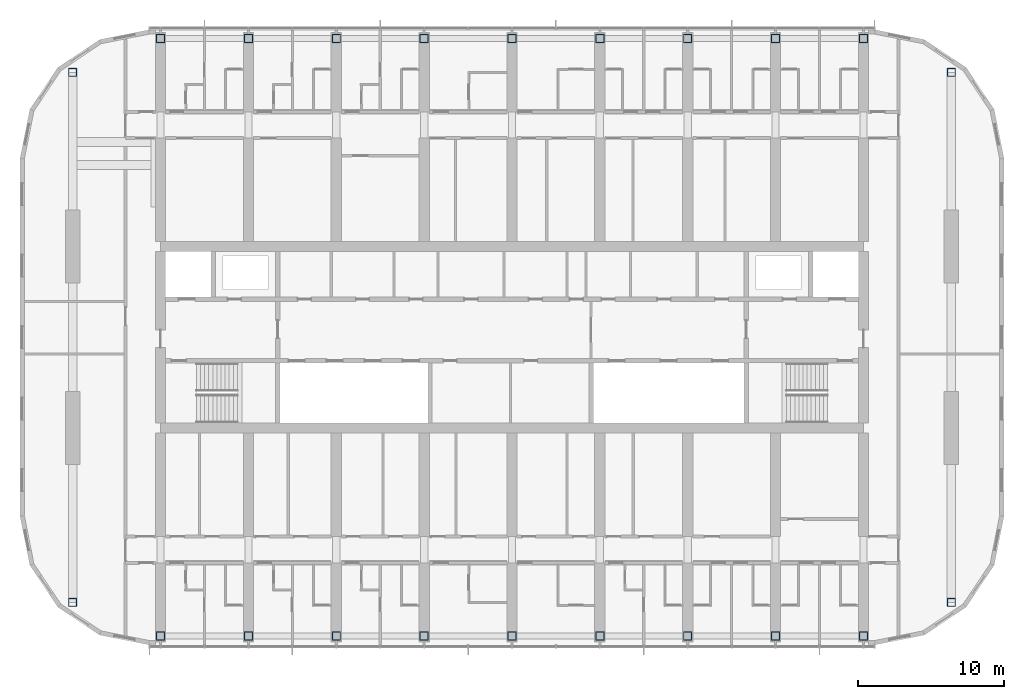
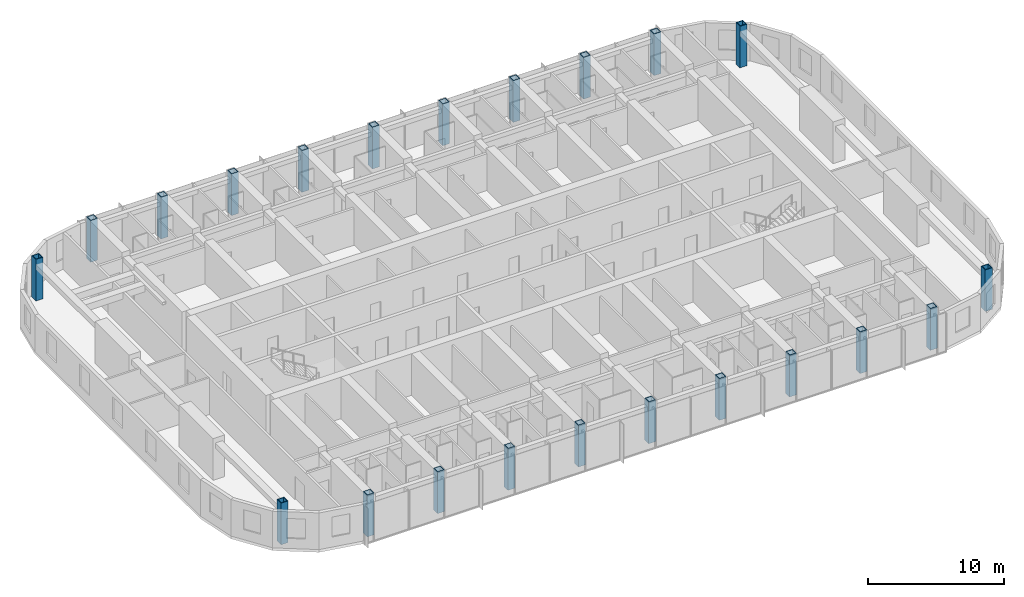
# One storey, part 1 of 24: 22 columns.
"""IFC4 building model written with IfcOpenShell, lengths in metres."""

from ifc_helpers import new_model, si_unit, direction, frame, origin, origin_2d, place, context, subcontext, project, spatial, hollow_rectangle, extrude, material, material_profile, profile_set, type_object, element, save


model = new_model("IFC4")

# Units and contexts
model_context = context("Model", 3, precision=1e-05, world=origin(), true_north=direction((0.0, 1.0)))
body_context = subcontext(model_context, "Body", "Model", "MODEL_VIEW")
ifc_project = project(units=[si_unit("LENGTHUNIT", "METRE"), si_unit("AREAUNIT", "SQUARE_METRE"), si_unit("VOLUMEUNIT", "CUBIC_METRE"), si_unit("PLANEANGLEUNIT", "RADIAN"), si_unit("MASSUNIT", "GRAM", prefix="KILO")], contexts=[model_context])

# Site, building, storey
site_placement = place(None, origin())
site = spatial("IfcSite", under=ifc_project, at=site_placement, CompositionType="ELEMENT")
building_placement = place(site_placement, origin())
building = spatial("IfcBuilding", under=site, at=building_placement, Name="Orbita Commons", CompositionType="ELEMENT")
storey_placement = place(building_placement, frame((0.0, 0.0, 242.800048828125)))
storey = spatial("IfcBuildingStorey", under=building, at=storey_placement, Name="L60", CompositionType="ELEMENT", Elevation=242.800048828125)

# Columns
ifc_material = material(Name="Steel ASTM A572 Gr 50 welded plate", Category="steel")
ifc_material_profile = material_profile(ifc_material, hollow_rectangle(XDim=0.60009765625, YDim=0.60009765625, WallThickness=0.06005859375, at=origin_2d()), Name="BOX 600x600x60")
ifc_profile_set = profile_set([ifc_material_profile], Name="Steel ASTM A572 Gr 50 welded plate")
column_type = type_object("IfcColumnType", Name="Steel column BOX 600x600x60", PredefinedType="COLUMN", material=ifc_profile_set)
for number, where, z_axis, x_axis, name in (
    (1, (18.0, 11.60009765625, 0.0), (0.0, 0.0, 1.0), (1.0, 0.0, 0.0), "Column 4/B L60"),
    (2, (18.0, 52.39990234375, 0.0), (0.0, 0.0, 1.0), (1.0, 0.0, 0.0), "Column 4/E L60"),
    (3, (24.0, 11.60009765625, 0.0), (0.0, 0.0, 1.0), (1.0, 0.0, 0.0), "Column 5/B L60"),
    (4, (24.0, 52.39990234375, 0.0), (0.0, 0.0, 1.0), (1.0, 0.0, 0.0), "Column 5/E L60"),
    (5, (30.0, 11.60009765625, 0.0), (0.0, 0.0, 1.0), (1.0, 0.0, 0.0), "Column 6/B L60"),
    (6, (30.0, 52.39990234375, 0.0), (0.0, 0.0, 1.0), (1.0, 0.0, 0.0), "Column 6/E L60"),
    (7, (36.0, 11.60009765625, 0.0), (0.0, 0.0, 1.0), (1.0, 0.0, 0.0), "Column 7/B L60"),
    (8, (36.0, 52.39990234375, 0.0), (0.0, 0.0, 1.0), (1.0, 0.0, 0.0), "Column 7/E L60"),
    (9, (42.0, 11.60009765625, 0.0), (0.0, 0.0, 1.0), (1.0, 0.0, 0.0), "Column 8/B L60"),
    (10, (42.0, 52.39990234375, 0.0), (0.0, 0.0, 1.0), (1.0, 0.0, 0.0), "Column 8/E L60"),
    (11, (48.0, 11.60009765625, 0.0), (0.0, 0.0, 1.0), (1.0, 0.0, 0.0), "Column 9/B L60"),
    (12, (48.0, 52.39990234375, 0.0), (0.0, 0.0, 1.0), (1.0, 0.0, 0.0), "Column 9/E L60"),
    (13, (54.0, 11.60009765625, 0.0), (0.0, 0.0, 1.0), (1.0, 0.0, 0.0), "Column 10/B L60"),
    (14, (54.0, 52.39990234375, 0.0), (0.0, 0.0, 1.0), (1.0, 0.0, 0.0), "Column 10/E L60"),
    (15, (60.0, 11.60009765625, 0.0), (0.0, 0.0, 1.0), (1.0, 0.0, 0.0), "Column 11/B L60"),
    (16, (60.0, 52.39990234375, 0.0), (0.0, 0.0, 1.0), (1.0, 0.0, 0.0), "Column 11/E L60"),
    (17, (66.0, 11.60009765625, 0.0), (0.0, 0.0, 1.0), (1.0, 0.0, 0.0), "Column 12/B L60"),
    (18, (66.0, 52.39990234375, 0.0), (0.0, 0.0, 1.0), (1.0, 0.0, 0.0), "Column 12/E L60"),
    (19, (12.0, 13.89990234375, 0.0), (0.0, 0.0, 1.0), (1.0, 0.0, 0.0), "Column 3/13.9 L60"),
    (20, (12.0, 50.10009765625, 0.0), (0.0, 0.0, 1.0), (1.0, 0.0, 0.0), "Column 3/50.1 L60"),
    (21, (72.0, 13.89990234375, 0.0), (0.0, 0.0, 1.0), (1.0, 0.0, 0.0), "Column 13/13.9 L60"),
    (22, (72.0, 50.10009765625, 0.0), (0.0, 0.0, 1.0), (1.0, 0.0, 0.0), "Column 13/50.1 L60"),
):
    element("IfcColumn", number, at=place(storey_placement, frame(where, z_axis=z_axis, x_axis=x_axis)), inside=storey, type_object=column_type, Name=name, PredefinedType="COLUMN", context=body_context, shape_type="SweptSolid", body=[
        extrude(hollow_rectangle(XDim=0.60009765625, YDim=0.60009765625, WallThickness=0.06005859375, at=origin_2d()), origin(), (0.0, 0.0, 1.0), 3.75),
    ])

save(model, "model.ifc")
